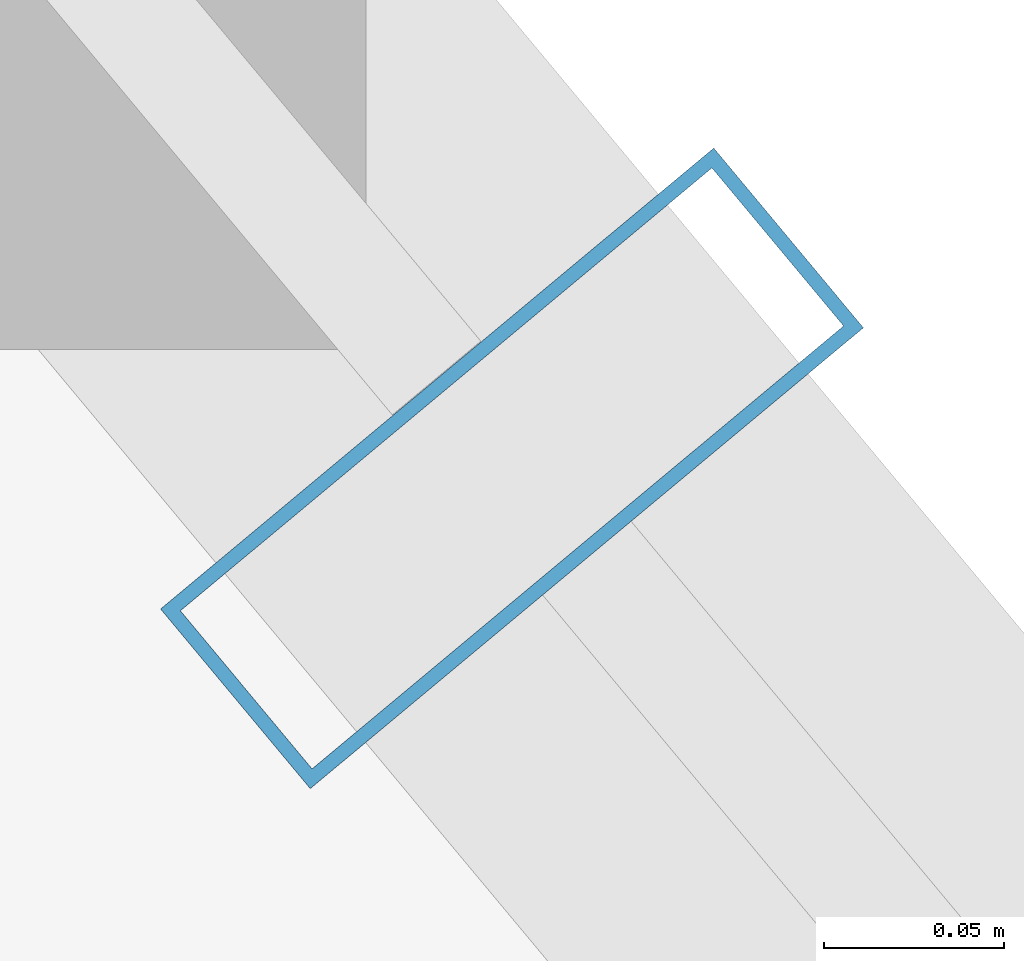
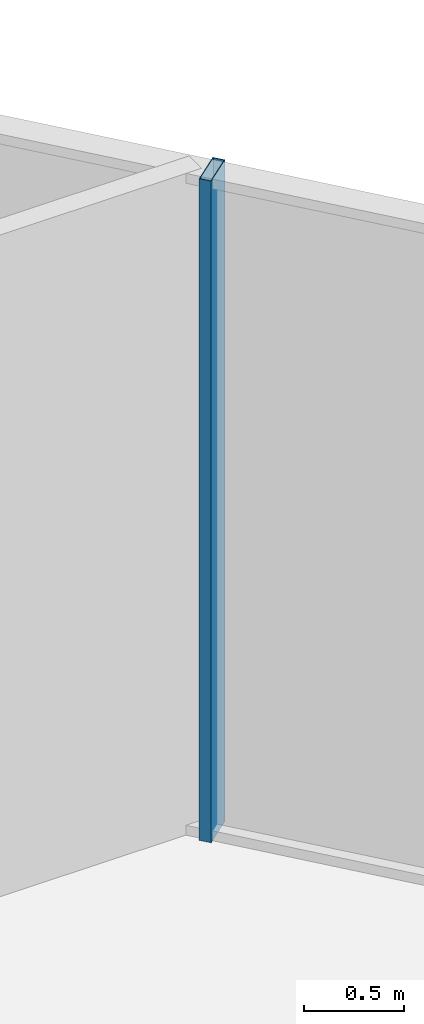
# One storey, part 27 of 35: 1 member, 1 element without a shape of its own.
"""IFC4 building model written with IfcOpenShell, lengths in metres."""

from ifc_helpers import new_model, si_unit, direction, frame, origin, origin_2d, place, context, subcontext, project, spatial, hollow_rectangle, extrude, source, transform, mapped, material, layer, layer_set, material_profile, profile_set, type_object, element, aggregate, save


model = new_model("IFC4")

# Units and contexts
model_context = context("Model", 3, precision=1e-05, world=origin(), true_north=direction((0.0, 1.0)))
body_context = subcontext(model_context, "Body", "Model", "MODEL_VIEW")
ifc_project = project(units=[si_unit("LENGTHUNIT", "METRE"), si_unit("AREAUNIT", "SQUARE_METRE"), si_unit("VOLUMEUNIT", "CUBIC_METRE"), si_unit("PLANEANGLEUNIT", "RADIAN"), si_unit("MASSUNIT", "GRAM", prefix="KILO")], contexts=[model_context])

# Site, building, storey
site_placement = place(None, origin())
site = spatial("IfcSite", under=ifc_project, at=site_placement, CompositionType="ELEMENT")
building_placement = place(site_placement, origin())
building = spatial("IfcBuilding", under=site, at=building_placement, Name="Veraguas Prism Commons", CompositionType="ELEMENT")
storey_placement = place(building_placement, frame((0.0, 0.0, 56.550048828125)))
storey = spatial("IfcBuildingStorey", under=building, at=storey_placement, Name="L15", CompositionType="ELEMENT", Elevation=56.550048828125)

# Curtain wall, member
ifc_material = material(Name="Anodised aluminium EN AW-6063 T6", Category="aluminium")
ifc_layer = layer(ifc_material, 0.199951171875, Name="Sky Lobby and Pool Acoustic Curtain Wall", Category="aluminium")
ifc_layer_set = layer_set([ifc_layer], Name="Anodised aluminium EN AW-6063 T6")
curtain_wall_type = type_object("IfcCurtainWallType", Name="Sky Lobby and Pool Acoustic Curtain Wall", PredefinedType="NOTDEFINED", material=ifc_layer_set)
curtain_wall_placement = place(storey_placement, origin())
curtain_wall = element("IfcCurtainWall", 1, at=curtain_wall_placement, inside=storey, type_object=curtain_wall_type, Name="Tower Facade Curtain Wall L15-F1", PredefinedType="NOTDEFINED")
ifc_material_profile = material_profile(ifc_material, hollow_rectangle(XDim=0.06494140625, YDim=0.199951171875, WallThickness=0.00390625, at=origin_2d()), Name="AL65X200X4")
ifc_profile_set = profile_set([ifc_material_profile], Name="Anodised aluminium EN AW-6063 T6")
member_type = type_object("IfcMemberType", Name="Curtain Wall Mullion Heavy AL 65x200x4", PredefinedType="MULLION", material=ifc_profile_set)
shared_shape = source(origin(), body_context, "Body", "SweptSolid", [
    extrude(hollow_rectangle(XDim=0.06494140625, YDim=0.199951171875, WallThickness=0.00390625, at=origin_2d()), origin(), (0.0, 0.0, 1.0), 4.050048828125),
])
member_placement = place(storey_placement, frame((39.968505859375, 37.304443359375, 0.0), z_axis=(0.0, 0.0, 1.0), x_axis=(-0.640109699485, 0.768283523594, 0.0)))
member = element("IfcMember", 2, at=member_placement, type_object=member_type, Name="CW-SKY Mullion 3", PredefinedType="MULLION", context=body_context, shape_type="MappedRepresentation", body=[
    mapped(shared_shape, transform((0.0, 0.0, 0.0), scale=1.0)),
])
aggregate(curtain_wall, [member])

save(model, "model.ifc")
